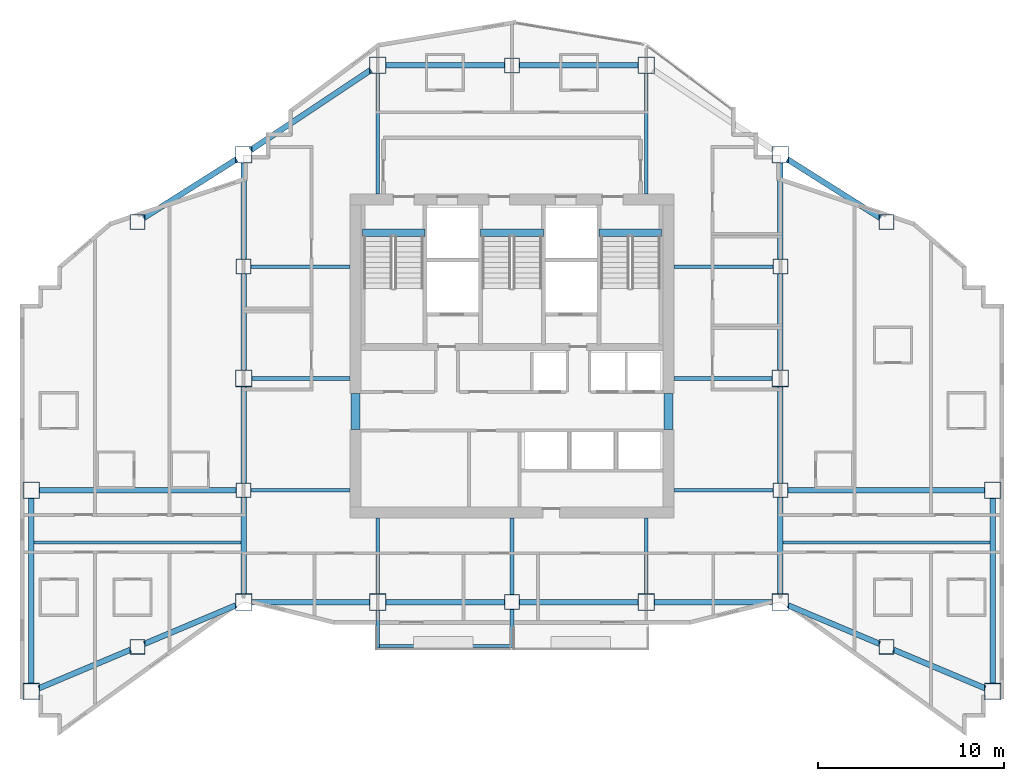
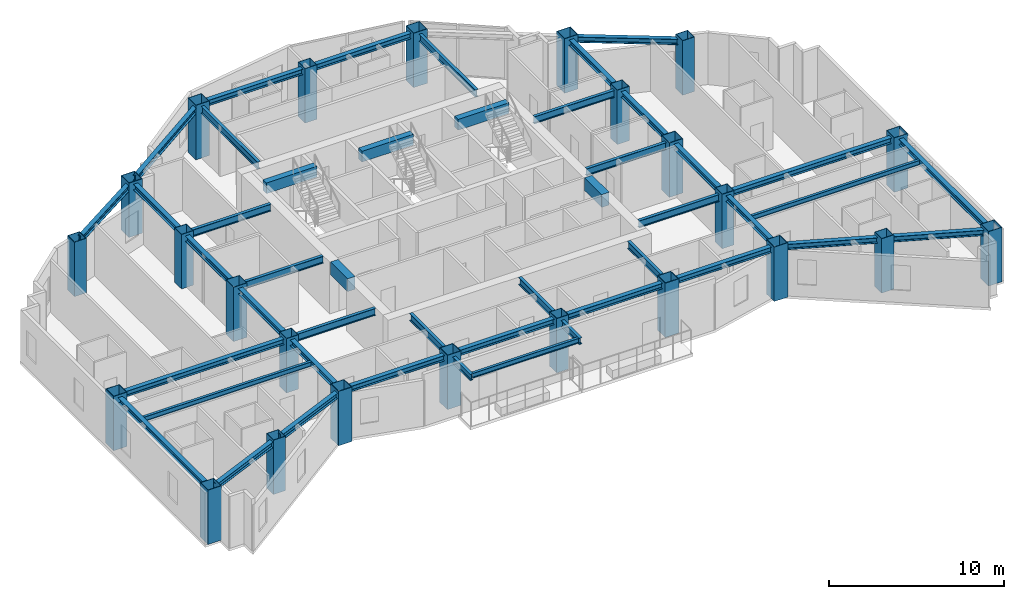
# One storey, part 1 of 11: 46 beams, 24 columns.
"""IFC4 building model written with IfcOpenShell, lengths in metres."""

from ifc_helpers import new_model, si_unit, direction, frame, origin, origin_2d, place, context, subcontext, project, spatial, rectangle, hollow_rectangle, i_section, extrude, material, material_profile, profile_set, type_object, element, save


model = new_model("IFC4")

# Units and contexts
model_context = context("Model", 3, precision=1e-05, world=origin(), true_north=direction((0.0, 1.0)))
body_context = subcontext(model_context, "Body", "Model", "MODEL_VIEW")
ifc_project = project(units=[si_unit("LENGTHUNIT", "METRE"), si_unit("AREAUNIT", "SQUARE_METRE"), si_unit("VOLUMEUNIT", "CUBIC_METRE"), si_unit("PLANEANGLEUNIT", "RADIAN"), si_unit("MASSUNIT", "GRAM", prefix="KILO")], contexts=[model_context])

# Site, building, storey
site_placement = place(None, origin())
site = spatial("IfcSite", under=ifc_project, at=site_placement, CompositionType="ELEMENT")
building_placement = place(site_placement, origin())
building = spatial("IfcBuilding", under=site, at=building_placement, Name="Haolan Belvedere Tower", CompositionType="ELEMENT")
storey_placement = place(building_placement, frame((0.0, 0.0, 191.800048828125)))
storey = spatial("IfcBuildingStorey", under=building, at=storey_placement, Name="L48", CompositionType="ELEMENT", Elevation=191.800048828125)

# Columns
ifc_material_1 = material(Name="Steel Q390GJC", Category="steel")
ifc_material_profile_1 = material_profile(ifc_material_1, hollow_rectangle(XDim=0.800048828125, YDim=0.800048828125, WallThickness=0.030029296875, at=origin_2d()), Name="Steel Q390GJC")
ifc_profile_set_1 = profile_set([ifc_material_profile_1], Name="Steel Q390GJC")
column_type_1 = type_object("IfcColumnType", Name="COL-BOX800x800x30", PredefinedType="COLUMN", material=ifc_profile_set_1)
for number, where, z_axis, x_axis, name in (
    (1, (24.0, 27.60009765625, 0.0), (0.0, 0.0, 1.0), (1.0, 0.0, 0.0), "L48 column TC-T3-W1 (BOX800x800x30)"),
    (2, (24.0, 39.60009765625, 0.0), (0.0, 0.0, 1.0), (1.0, 0.0, 0.0), "L48 column TC-T3-W2 (BOX800x800x30)"),
    (3, (52.800048828125, 27.60009765625, 0.0), (0.0, 0.0, 1.0), (1.0, 0.0, 0.0), "L48 column TC-T3-E1 (BOX800x800x30)"),
    (4, (52.800048828125, 39.60009765625, 0.0), (0.0, 0.0, 1.0), (1.0, 0.0, 0.0), "L48 column TC-T3-E2 (BOX800x800x30)"),
    (5, (38.39990234375, 21.60009765625, 0.0), (0.0, 0.0, 1.0), (1.0, 0.0, 0.0), "L48 column TC-T3-SM (BOX800x800x30)"),
    (6, (38.39990234375, 50.39990234375, 0.0), (0.0, 0.0, 1.0), (1.0, 0.0, 0.0), "L48 column TC-T3-NM (BOX800x800x30)"),
    (7, (18.300048828125, 19.199951171875, 0.0), (0.0, 0.0, 1.0), (1.0, 0.0, 0.0), "L48 column TC-T2-S1 (BOX800x800x30)"),
    (8, (18.300048828125, 42.0, 0.0), (0.0, 0.0, 1.0), (1.0, 0.0, 0.0), "L48 column TC-T2-N1 (BOX800x800x30)"),
    (9, (58.5, 19.199951171875, 0.0), (0.0, 0.0, 1.0), (1.0, 0.0, 0.0), "L48 column TC-T4-S1 (BOX800x800x30)"),
    (10, (58.5, 42.0, 0.0), (0.0, 0.0, 1.0), (1.0, 0.0, 0.0), "L48 column TC-T4-N1 (BOX800x800x30)"),
):
    element("IfcColumn", number, at=place(storey_placement, frame(where, z_axis=z_axis, x_axis=x_axis)), inside=storey, type_object=column_type_1, Name=name, PredefinedType="COLUMN", context=body_context, shape_type="SweptSolid", body=[
        extrude(hollow_rectangle(XDim=0.800048828125, YDim=0.800048828125, WallThickness=0.030029296875, at=origin_2d()), origin(), (0.0, 0.0, 1.0), 3.800048828125),
    ])
ifc_material_profile_2 = material_profile(ifc_material_1, hollow_rectangle(XDim=0.89990234375, YDim=0.89990234375, WallThickness=0.033935546875, at=origin_2d()), Name="Steel Q390GJC")
ifc_profile_set_2 = profile_set([ifc_material_profile_2], Name="Steel Q390GJC")
column_type_2 = type_object("IfcColumnType", Name="COL-BOX900x900x34", PredefinedType="COLUMN", material=ifc_profile_set_2)
for number, where, z_axis, x_axis, name in (
    (11, (24.0, 21.60009765625, 0.0), (0.0, 0.0, 1.0), (1.0, 0.0, 0.0), "L48 column MC-T3-SW (BOX900x900x34)"),
    (12, (24.0, 33.60009765625, 0.0), (0.0, 0.0, 1.0), (1.0, 0.0, 0.0), "L48 column MC-T3-MW (BOX900x900x34)"),
    (13, (24.0, 45.60009765625, 0.0), (0.0, 0.0, 1.0), (1.0, 0.0, 0.0), "L48 column MC-T3-NW (BOX900x900x34)"),
    (14, (52.800048828125, 21.60009765625, 0.0), (0.0, 0.0, 1.0), (1.0, 0.0, 0.0), "L48 column MC-T3-SE (BOX900x900x34)"),
    (15, (52.800048828125, 33.60009765625, 0.0), (0.0, 0.0, 1.0), (1.0, 0.0, 0.0), "L48 column MC-T3-ME (BOX900x900x34)"),
    (16, (52.800048828125, 45.60009765625, 0.0), (0.0, 0.0, 1.0), (1.0, 0.0, 0.0), "L48 column MC-T3-NE (BOX900x900x34)"),
    (17, (31.199951171875, 21.60009765625, 0.0), (0.0, 0.0, 1.0), (1.0, 0.0, 0.0), "L48 column MC-T3-S1 (BOX900x900x34)"),
    (18, (45.60009765625, 21.60009765625, 0.0), (0.0, 0.0, 1.0), (1.0, 0.0, 0.0), "L48 column MC-T3-S2 (BOX900x900x34)"),
    (19, (31.199951171875, 50.39990234375, 0.0), (0.0, 0.0, 1.0), (1.0, 0.0, 0.0), "L48 column MC-T3-N1 (BOX900x900x34)"),
    (20, (45.60009765625, 50.39990234375, 0.0), (0.0, 0.0, 1.0), (1.0, 0.0, 0.0), "L48 column MC-T3-N2 (BOX900x900x34)"),
    (21, (12.60009765625, 16.800048828125, 0.0), (0.0, 0.0, 1.0), (1.0, 0.0, 0.0), "L48 column MC-T2-SW (BOX900x900x34)"),
    (22, (12.60009765625, 27.60009765625, 0.0), (0.0, 0.0, 1.0), (1.0, 0.0, 0.0), "L48 column MC-T2-MW (BOX900x900x34)"),
    (23, (64.199951171875, 16.800048828125, 0.0), (0.0, 0.0, 1.0), (1.0, 0.0, 0.0), "L48 column MC-T4-SE (BOX900x900x34)"),
    (24, (64.199951171875, 27.60009765625, 0.0), (0.0, 0.0, 1.0), (1.0, 0.0, 0.0), "L48 column MC-T4-ME (BOX900x900x34)"),
):
    element("IfcColumn", number, at=place(storey_placement, frame(where, z_axis=z_axis, x_axis=x_axis)), inside=storey, type_object=column_type_2, Name=name, PredefinedType="COLUMN", context=body_context, shape_type="SweptSolid", body=[
        extrude(hollow_rectangle(XDim=0.89990234375, YDim=0.89990234375, WallThickness=0.033935546875, at=origin_2d()), origin(), (0.0, 0.0, 1.0), 3.800048828125),
    ])

# Beams
ifc_material_2 = material(Name="Steel Q355B", Category="steel")
ifc_material_profile_3 = material_profile(ifc_material_2, i_section(OverallWidth=0.300048828125, OverallDepth=0.389892578125, WebThickness=0.010009765625, FlangeThickness=0.01611328125, FilletRadius=0.02197265625, at=origin_2d()), Name="Steel Q355B")
ifc_profile_set_3 = profile_set([ifc_material_profile_3], Name="Steel Q355B")
beam_type_1 = type_object("IfcBeamType", Name="BM-HM390x300x10x16", PredefinedType="SPANDREL", material=ifc_profile_set_3)
for number, where, z_axis, x_axis, name in (
    (25, (24.0, 22.050048828125, 3.425048828125), (0.0, 1.0, 0.0), (-1.0, 0.0, 0.0), "L48 spandrel girder MC-T3-SW-TC-T3-W1"),
    (26, (24.0, 28.0, 3.425048828125), (0.0, 1.0, 0.0), (-1.0, 0.0, 0.0), "L48 spandrel girder TC-T3-W1-MC-T3-MW"),
    (27, (24.0, 34.050048828125, 3.425048828125), (0.0, 1.0, 0.0), (-1.0, 0.0, 0.0), "L48 spandrel girder MC-T3-MW-TC-T3-W2"),
    (28, (24.0, 40.0, 3.425048828125), (0.0, 1.0, 0.0), (-1.0, 0.0, 0.0), "L48 spandrel girder TC-T3-W2-MC-T3-NW"),
    (29, (52.800048828125, 22.050048828125, 3.425048828125), (0.0, 1.0, 0.0), (-1.0, 0.0, 0.0), "L48 spandrel girder MC-T3-SE-TC-T3-E1"),
    (30, (52.800048828125, 28.0, 3.425048828125), (0.0, 1.0, 0.0), (-1.0, 0.0, 0.0), "L48 spandrel girder TC-T3-E1-MC-T3-ME"),
    (31, (52.800048828125, 34.050048828125, 3.425048828125), (0.0, 1.0, 0.0), (-1.0, 0.0, 0.0), "L48 spandrel girder MC-T3-ME-TC-T3-E2"),
    (32, (52.800048828125, 40.0, 3.425048828125), (0.0, 1.0, 0.0), (-1.0, 0.0, 0.0), "L48 spandrel girder TC-T3-E2-MC-T3-NE"),
):
    element("IfcBeam", number, at=place(storey_placement, frame(where, z_axis=z_axis, x_axis=x_axis)), inside=storey, type_object=beam_type_1, Name=name, PredefinedType="SPANDREL", context=body_context, shape_type="SweptSolid", body=[
        extrude(i_section(OverallWidth=0.300048828125, OverallDepth=0.389892578125, WebThickness=0.010009765625, FlangeThickness=0.01611328125, FilletRadius=0.02197265625, at=origin_2d()), origin(), (0.0, 0.0, 1.0), 5.14990234375),
    ])
beam_1_placement = place(storey_placement, frame((24.449951171875, 21.60009765625, 3.425048828125), z_axis=(1.0, 0.0, 0.0), x_axis=(0.0, 1.0, 0.0)))
element("IfcBeam", 33, at=beam_1_placement, inside=storey, type_object=beam_type_1, Name="L48 spandrel girder MC-T3-SW-MC-T3-S1", PredefinedType="SPANDREL", context=body_context, shape_type="SweptSolid", body=[
    extrude(i_section(OverallWidth=0.300048828125, OverallDepth=0.389892578125, WebThickness=0.010009765625, FlangeThickness=0.01611328125, FilletRadius=0.02197265625, at=origin_2d()), origin(), (0.0, 0.0, 1.0), 6.300048828125),
])
beam_2_placement = place(storey_placement, frame((31.64990234375, 21.60009765625, 3.425048828125), z_axis=(1.0, 0.0, 0.0), x_axis=(0.0, 1.0, 0.0)))
element("IfcBeam", 34, at=beam_2_placement, inside=storey, type_object=beam_type_1, Name="L48 spandrel girder MC-T3-S1-TC-T3-SM", PredefinedType="SPANDREL", context=body_context, shape_type="SweptSolid", body=[
    extrude(i_section(OverallWidth=0.300048828125, OverallDepth=0.389892578125, WebThickness=0.010009765625, FlangeThickness=0.01611328125, FilletRadius=0.02197265625, at=origin_2d()), origin(), (0.0, 0.0, 1.0), 6.35009765625),
])
beam_3_placement = place(storey_placement, frame((38.800048828125, 21.60009765625, 3.425048828125), z_axis=(1.0, 0.0, 0.0), x_axis=(0.0, 1.0, 0.0)))
element("IfcBeam", 35, at=beam_3_placement, inside=storey, type_object=beam_type_1, Name="L48 spandrel girder TC-T3-SM-MC-T3-S2", PredefinedType="SPANDREL", context=body_context, shape_type="SweptSolid", body=[
    extrude(i_section(OverallWidth=0.300048828125, OverallDepth=0.389892578125, WebThickness=0.010009765625, FlangeThickness=0.01611328125, FilletRadius=0.02197265625, at=origin_2d()), origin(), (0.0, 0.0, 1.0), 6.349853515625),
])
beam_4_placement = place(storey_placement, frame((46.050048828125, 21.60009765625, 3.425048828125), z_axis=(1.0, 0.0, 0.0), x_axis=(0.0, 1.0, 0.0)))
element("IfcBeam", 36, at=beam_4_placement, inside=storey, type_object=beam_type_1, Name="L48 spandrel girder MC-T3-S2-MC-T3-SE", PredefinedType="SPANDREL", context=body_context, shape_type="SweptSolid", body=[
    extrude(i_section(OverallWidth=0.300048828125, OverallDepth=0.389892578125, WebThickness=0.010009765625, FlangeThickness=0.01611328125, FilletRadius=0.02197265625, at=origin_2d()), origin(), (0.0, 0.0, 1.0), 6.300048828125),
])
beam_5_placement = place(storey_placement, frame((24.37451171875, 45.849609375, 3.425048828125), z_axis=(0.832050294338, 0.554700196225, 0.0), x_axis=(-0.554700196225, 0.832050294338, 0.0)))
element("IfcBeam", 37, at=beam_5_placement, inside=storey, type_object=beam_type_1, Name="L48 spandrel girder MC-T3-NW-MC-T3-N1", PredefinedType="SPANDREL", context=body_context, shape_type="SweptSolid", body=[
    extrude(i_section(OverallWidth=0.300048828125, OverallDepth=0.389892578125, WebThickness=0.010009765625, FlangeThickness=0.01611328125, FilletRadius=0.02197265625, at=origin_2d()), origin(), (0.0, 0.0, 1.0), 7.75341796875),
])
beam_6_placement = place(storey_placement, frame((31.64990234375, 50.39990234375, 3.425048828125), z_axis=(1.0, 0.0, 0.0), x_axis=(0.0, 1.0, 0.0)))
element("IfcBeam", 38, at=beam_6_placement, inside=storey, type_object=beam_type_1, Name="L48 spandrel girder MC-T3-N1-TC-T3-NM", PredefinedType="SPANDREL", context=body_context, shape_type="SweptSolid", body=[
    extrude(i_section(OverallWidth=0.300048828125, OverallDepth=0.389892578125, WebThickness=0.010009765625, FlangeThickness=0.01611328125, FilletRadius=0.02197265625, at=origin_2d()), origin(), (0.0, 0.0, 1.0), 6.35009765625),
])
beam_7_placement = place(storey_placement, frame((38.800048828125, 50.39990234375, 3.425048828125), z_axis=(1.0, 0.0, 0.0), x_axis=(0.0, 1.0, 0.0)))
element("IfcBeam", 39, at=beam_7_placement, inside=storey, type_object=beam_type_1, Name="L48 spandrel girder TC-T3-NM-MC-T3-N2", PredefinedType="SPANDREL", context=body_context, shape_type="SweptSolid", body=[
    extrude(i_section(OverallWidth=0.300048828125, OverallDepth=0.389892578125, WebThickness=0.010009765625, FlangeThickness=0.01611328125, FilletRadius=0.02197265625, at=origin_2d()), origin(), (0.0, 0.0, 1.0), 6.349853515625),
])
beam_8_placement = place(storey_placement, frame((12.60009765625, 17.25, 3.425048828125), z_axis=(0.0, 1.0, 0.0), x_axis=(-1.0, 0.0, 0.0)))
element("IfcBeam", 40, at=beam_8_placement, inside=storey, type_object=beam_type_1, Name="L48 spandrel girder MC-T2-SW-MC-T2-MW", PredefinedType="SPANDREL", context=body_context, shape_type="SweptSolid", body=[
    extrude(i_section(OverallWidth=0.300048828125, OverallDepth=0.389892578125, WebThickness=0.010009765625, FlangeThickness=0.01611328125, FilletRadius=0.02197265625, at=origin_2d()), origin(), (0.0, 0.0, 1.0), 9.89990234375),
])
beam_9_placement = place(storey_placement, frame((13.0146484375, 16.974609375, 3.425048828125), z_axis=(0.921644850741, 0.388034494733, 0.0), x_axis=(-0.388034494733, 0.921644850741, 0.0)))
element("IfcBeam", 41, at=beam_9_placement, inside=storey, type_object=beam_type_1, Name="L48 spandrel girder MC-T2-SW-TC-T2-S1", PredefinedType="SPANDREL", context=body_context, shape_type="SweptSolid", body=[
    extrude(i_section(OverallWidth=0.300048828125, OverallDepth=0.389892578125, WebThickness=0.010009765625, FlangeThickness=0.01611328125, FilletRadius=0.02197265625, at=origin_2d()), origin(), (0.0, 0.0, 1.0), 5.334716796875),
])
beam_10_placement = place(storey_placement, frame((18.668701171875, 19.355224609375, 3.425048828125), z_axis=(0.921637959557, 0.388050862006, 0.0), x_axis=(-0.388050862006, 0.921637959557, 0.0)))
element("IfcBeam", 42, at=beam_10_placement, inside=storey, type_object=beam_type_1, Name="L48 spandrel girder TC-T2-S1-MC-T3-SW", PredefinedType="SPANDREL", context=body_context, shape_type="SweptSolid", body=[
    extrude(i_section(OverallWidth=0.300048828125, OverallDepth=0.389892578125, WebThickness=0.010009765625, FlangeThickness=0.01611328125, FilletRadius=0.02197265625, at=origin_2d()), origin(), (0.0, 0.0, 1.0), 5.33447265625),
])
beam_11_placement = place(storey_placement, frame((18.63818359375, 42.213623046875, 3.425048828125), z_axis=(0.845502688092, 0.533971164417, 0.0), x_axis=(-0.533971164417, 0.845502688092, 0.0)))
element("IfcBeam", 43, at=beam_11_placement, inside=storey, type_object=beam_type_1, Name="L48 spandrel girder TC-T2-N1-MC-T3-NW", PredefinedType="SPANDREL", context=body_context, shape_type="SweptSolid", body=[
    extrude(i_section(OverallWidth=0.300048828125, OverallDepth=0.389892578125, WebThickness=0.010009765625, FlangeThickness=0.01611328125, FilletRadius=0.02197265625, at=origin_2d()), origin(), (0.0, 0.0, 1.0), 5.8916015625),
])
beam_12_placement = place(storey_placement, frame((13.050048828125, 27.60009765625, 3.425048828125), z_axis=(1.0, 0.0, 0.0), x_axis=(0.0, 1.0, 0.0)))
element("IfcBeam", 44, at=beam_12_placement, inside=storey, type_object=beam_type_1, Name="L48 spandrel girder MC-T2-MW-TC-T3-W1", PredefinedType="SPANDREL", context=body_context, shape_type="SweptSolid", body=[
    extrude(i_section(OverallWidth=0.300048828125, OverallDepth=0.389892578125, WebThickness=0.010009765625, FlangeThickness=0.01611328125, FilletRadius=0.02197265625, at=origin_2d()), origin(), (0.0, 0.0, 1.0), 10.550048828125),
])
beam_13_placement = place(storey_placement, frame((64.199951171875, 17.25, 3.425048828125), z_axis=(0.0, 1.0, 0.0), x_axis=(-1.0, 0.0, 0.0)))
element("IfcBeam", 45, at=beam_13_placement, inside=storey, type_object=beam_type_1, Name="L48 spandrel girder MC-T4-SE-MC-T4-ME", PredefinedType="SPANDREL", context=body_context, shape_type="SweptSolid", body=[
    extrude(i_section(OverallWidth=0.300048828125, OverallDepth=0.389892578125, WebThickness=0.010009765625, FlangeThickness=0.01611328125, FilletRadius=0.02197265625, at=origin_2d()), origin(), (0.0, 0.0, 1.0), 9.89990234375),
])
for number, where, z_axis, x_axis, name in (
    (46, (53.21484375, 21.42529296875, 3.425048828125), (0.921637959557, -0.388050862006, 0.0), (0.388050862006, 0.921637959557, 0.0), "L48 spandrel girder MC-T3-SE-TC-T4-S1"),
    (47, (58.86865234375, 19.044677734375, 3.425048828125), (0.921637959557, -0.388050862006, 0.0), (0.388050862006, 0.921637959557, 0.0), "L48 spandrel girder TC-T4-S1-MC-T4-SE"),
):
    element("IfcBeam", number, at=place(storey_placement, frame(where, z_axis=z_axis, x_axis=x_axis)), inside=storey, type_object=beam_type_1, Name=name, PredefinedType="SPANDREL", context=body_context, shape_type="SweptSolid", body=[
        extrude(i_section(OverallWidth=0.300048828125, OverallDepth=0.389892578125, WebThickness=0.010009765625, FlangeThickness=0.01611328125, FilletRadius=0.02197265625, at=origin_2d()), origin(), (0.0, 0.0, 1.0), 5.33447265625),
    ])
beam_14_placement = place(storey_placement, frame((53.180419921875, 45.359619140625, 3.425048828125), z_axis=(0.845502688092, -0.533971164417, 0.0), x_axis=(0.533971164417, 0.845502688092, 0.0)))
element("IfcBeam", 48, at=beam_14_placement, inside=storey, type_object=beam_type_1, Name="L48 spandrel girder MC-T3-NE-TC-T4-N1", PredefinedType="SPANDREL", context=body_context, shape_type="SweptSolid", body=[
    extrude(i_section(OverallWidth=0.300048828125, OverallDepth=0.389892578125, WebThickness=0.010009765625, FlangeThickness=0.01611328125, FilletRadius=0.02197265625, at=origin_2d()), origin(), (0.0, 0.0, 1.0), 5.8916015625),
])
beam_15_placement = place(storey_placement, frame((53.199951171875, 27.60009765625, 3.425048828125), z_axis=(1.0, 0.0, 0.0), x_axis=(0.0, 1.0, 0.0)))
element("IfcBeam", 49, at=beam_15_placement, inside=storey, type_object=beam_type_1, Name="L48 spandrel girder TC-T3-E1-MC-T4-ME", PredefinedType="SPANDREL", context=body_context, shape_type="SweptSolid", body=[
    extrude(i_section(OverallWidth=0.300048828125, OverallDepth=0.389892578125, WebThickness=0.010009765625, FlangeThickness=0.01611328125, FilletRadius=0.02197265625, at=origin_2d()), origin(), (0.0, 0.0, 1.0), 10.550048828125),
])
ifc_material_profile_4 = material_profile(ifc_material_2, i_section(OverallWidth=0.175048828125, OverallDepth=0.35009765625, WebThickness=0.007080078125, FlangeThickness=0.010986328125, FilletRadius=0.012939453125, at=origin_2d()), Name="Steel Q355B")
ifc_profile_set_4 = profile_set([ifc_material_profile_4], Name="Steel Q355B")
beam_type_2 = type_object("IfcBeamType", Name="BM-HN350x175x7x11", PredefinedType="JOIST", material=ifc_profile_set_4)
for number, where, z_axis, x_axis, name in (
    (50, (12.75, 24.800048828125, 3.445068359375), (1.0, 0.0, 0.0), (0.0, 1.0, 0.0), "L48 west wing floor joist 1"),
    (51, (52.949951171875, 24.800048828125, 3.445068359375), (1.0, 0.0, 0.0), (0.0, 1.0, 0.0), "L48 east wing floor joist 1"),
):
    element("IfcBeam", number, at=place(storey_placement, frame(where, z_axis=z_axis, x_axis=x_axis)), inside=storey, type_object=beam_type_2, Name=name, PredefinedType="JOIST", context=body_context, shape_type="SweptSolid", body=[
        extrude(i_section(OverallWidth=0.175048828125, OverallDepth=0.35009765625, WebThickness=0.007080078125, FlangeThickness=0.010986328125, FilletRadius=0.012939453125, at=origin_2d()), origin(), (0.0, 0.0, 1.0), 11.10009765625),
    ])
beam_16_placement = place(storey_placement, frame((31.300048828125, 19.239990234375, 3.39501953125), z_axis=(1.0, 0.0, 0.0), x_axis=(0.0, 1.0, 0.0)))
element("IfcBeam", 52, at=beam_16_placement, inside=storey, type_object=beam_type_2, Name="L49 tree-balcony front trimmer beam 1", PredefinedType="BEAM", context=body_context, shape_type="SweptSolid", body=[
    extrude(i_section(OverallWidth=0.175048828125, OverallDepth=0.35009765625, WebThickness=0.007080078125, FlangeThickness=0.010986328125, FilletRadius=0.012939453125, at=origin_2d()), origin(), (0.0, 0.0, 1.0), 7.0),
])
ifc_material_profile_5 = material_profile(ifc_material_2, i_section(OverallWidth=0.199951171875, OverallDepth=0.449951171875, WebThickness=0.009033203125, FlangeThickness=0.013916015625, FilletRadius=0.01611328125, at=origin_2d()), Name="Steel Q355B")
ifc_profile_set_5 = profile_set([ifc_material_profile_5], Name="Steel Q355B")
beam_type_3 = type_object("IfcBeamType", Name="BM-HN450x200x9x14", PredefinedType="BEAM", material=ifc_profile_set_5)
beam_17_placement = place(storey_placement, frame((31.199951171875, 21.14990234375, 3.344970703125), z_axis=(0.0, -1.0, 0.0), x_axis=(1.0, 0.0, 0.0)))
element("IfcBeam", 53, at=beam_17_placement, inside=storey, type_object=beam_type_3, Name="L49 tree-balcony column cantilever MC-T3-S1", PredefinedType="BEAM", context=body_context, shape_type="SweptSolid", body=[
    extrude(i_section(OverallWidth=0.199951171875, OverallDepth=0.449951171875, WebThickness=0.009033203125, FlangeThickness=0.013916015625, FilletRadius=0.01611328125, at=origin_2d()), origin(), (0.0, 0.0, 1.0), 2.010009765625),
])
beam_18_placement = place(storey_placement, frame((38.39990234375, 21.199951171875, 3.344970703125), z_axis=(0.0, -1.0, 0.0), x_axis=(1.0, 0.0, 0.0)))
element("IfcBeam", 54, at=beam_18_placement, inside=storey, type_object=beam_type_3, Name="L49 tree-balcony column cantilever TC-T3-SM", PredefinedType="BEAM", context=body_context, shape_type="SweptSolid", body=[
    extrude(i_section(OverallWidth=0.199951171875, OverallDepth=0.449951171875, WebThickness=0.009033203125, FlangeThickness=0.013916015625, FilletRadius=0.01611328125, at=origin_2d()), origin(), (0.0, 0.0, 1.0), 2.06005859375),
])
ifc_material_profile_6 = material_profile(ifc_material_2, i_section(OverallWidth=0.199951171875, OverallDepth=0.5, WebThickness=0.010009765625, FlangeThickness=0.01611328125, FilletRadius=0.02001953125, at=origin_2d()), Name="Steel Q355B")
ifc_profile_set_6 = profile_set([ifc_material_profile_6], Name="Steel Q355B")
beam_type_4 = type_object("IfcBeamType", Name="BM-HN500x200x10x16", PredefinedType="BEAM", material=ifc_profile_set_6)
beam_19_placement = place(storey_placement, frame((24.449951171875, 33.60009765625, 3.369873046875), z_axis=(1.0, 0.0, 0.0), x_axis=(0.0, 1.0, 0.0)))
element("IfcBeam", 55, at=beam_19_placement, inside=storey, type_object=beam_type_4, Name="L48 core tie beam from MC-T3-MW", PredefinedType="BEAM", context=body_context, shape_type="SweptSolid", body=[
    extrude(i_section(OverallWidth=0.199951171875, OverallDepth=0.5, WebThickness=0.010009765625, FlangeThickness=0.01611328125, FilletRadius=0.02001953125, at=origin_2d()), origin(), (0.0, 0.0, 1.0), 5.25),
])
for number, where, z_axis, x_axis, name in (
    (56, (24.39990234375, 27.60009765625, 3.369873046875), (1.0, 0.0, 0.0), (0.0, 1.0, 0.0), "L48 core tie beam from TC-T3-W1"),
    (57, (24.39990234375, 39.60009765625, 3.369873046875), (1.0, 0.0, 0.0), (0.0, 1.0, 0.0), "L48 core tie beam from TC-T3-W2"),
):
    element("IfcBeam", number, at=place(storey_placement, frame(where, z_axis=z_axis, x_axis=x_axis)), inside=storey, type_object=beam_type_4, Name=name, PredefinedType="BEAM", context=body_context, shape_type="SweptSolid", body=[
        extrude(i_section(OverallWidth=0.199951171875, OverallDepth=0.5, WebThickness=0.010009765625, FlangeThickness=0.01611328125, FilletRadius=0.02001953125, at=origin_2d()), origin(), (0.0, 0.0, 1.0), 5.300048828125),
    ])
beam_20_placement = place(storey_placement, frame((52.35009765625, 33.60009765625, 3.369873046875), z_axis=(-1.0, 0.0, 0.0), x_axis=(0.0, -1.0, 0.0)))
element("IfcBeam", 58, at=beam_20_placement, inside=storey, type_object=beam_type_4, Name="L48 core tie beam from MC-T3-ME", PredefinedType="BEAM", context=body_context, shape_type="SweptSolid", body=[
    extrude(i_section(OverallWidth=0.199951171875, OverallDepth=0.5, WebThickness=0.010009765625, FlangeThickness=0.01611328125, FilletRadius=0.02001953125, at=origin_2d()), origin(), (0.0, 0.0, 1.0), 5.25),
])
for number, where, z_axis, x_axis, name in (
    (59, (52.39990234375, 27.60009765625, 3.369873046875), (-1.0, 0.0, 0.0), (0.0, -1.0, 0.0), "L48 core tie beam from TC-T3-E1"),
    (60, (52.39990234375, 39.60009765625, 3.369873046875), (-1.0, 0.0, 0.0), (0.0, -1.0, 0.0), "L48 core tie beam from TC-T3-E2"),
):
    element("IfcBeam", number, at=place(storey_placement, frame(where, z_axis=z_axis, x_axis=x_axis)), inside=storey, type_object=beam_type_4, Name=name, PredefinedType="BEAM", context=body_context, shape_type="SweptSolid", body=[
        extrude(i_section(OverallWidth=0.199951171875, OverallDepth=0.5, WebThickness=0.010009765625, FlangeThickness=0.01611328125, FilletRadius=0.02001953125, at=origin_2d()), origin(), (0.0, 0.0, 1.0), 5.2998046875),
    ])
beam_21_placement = place(storey_placement, frame((31.199951171875, 22.050048828125, 3.369873046875), z_axis=(0.0, 1.0, 0.0), x_axis=(-1.0, 0.0, 0.0)))
element("IfcBeam", 61, at=beam_21_placement, inside=storey, type_object=beam_type_4, Name="L48 core tie beam from MC-T3-S1", PredefinedType="BEAM", context=body_context, shape_type="SweptSolid", body=[
    extrude(i_section(OverallWidth=0.199951171875, OverallDepth=0.5, WebThickness=0.010009765625, FlangeThickness=0.01611328125, FilletRadius=0.02001953125, at=origin_2d()), origin(), (0.0, 0.0, 1.0), 4.050048828125),
])
beam_22_placement = place(storey_placement, frame((38.39990234375, 22.0, 3.369873046875), z_axis=(0.0, 1.0, 0.0), x_axis=(-1.0, 0.0, 0.0)))
element("IfcBeam", 62, at=beam_22_placement, inside=storey, type_object=beam_type_4, Name="L48 core tie beam from TC-T3-SM", PredefinedType="BEAM", context=body_context, shape_type="SweptSolid", body=[
    extrude(i_section(OverallWidth=0.199951171875, OverallDepth=0.5, WebThickness=0.010009765625, FlangeThickness=0.01611328125, FilletRadius=0.02001953125, at=origin_2d()), origin(), (0.0, 0.0, 1.0), 4.10009765625),
])
beam_23_placement = place(storey_placement, frame((45.60009765625, 22.050048828125, 3.369873046875), z_axis=(0.0, 1.0, 0.0), x_axis=(-1.0, 0.0, 0.0)))
element("IfcBeam", 63, at=beam_23_placement, inside=storey, type_object=beam_type_4, Name="L48 core tie beam from MC-T3-S2", PredefinedType="BEAM", context=body_context, shape_type="SweptSolid", body=[
    extrude(i_section(OverallWidth=0.199951171875, OverallDepth=0.5, WebThickness=0.010009765625, FlangeThickness=0.01611328125, FilletRadius=0.02001953125, at=origin_2d()), origin(), (0.0, 0.0, 1.0), 4.050048828125),
])
for number, where, z_axis, x_axis, name in (
    (64, (31.199951171875, 49.949951171875, 3.369873046875), (0.0, -1.0, 0.0), (1.0, 0.0, 0.0), "L48 core tie beam from MC-T3-N1"),
    (65, (45.60009765625, 49.949951171875, 3.369873046875), (0.0, -1.0, 0.0), (1.0, 0.0, 0.0), "L48 core tie beam from MC-T3-N2"),
):
    element("IfcBeam", number, at=place(storey_placement, frame(where, z_axis=z_axis, x_axis=x_axis)), inside=storey, type_object=beam_type_4, Name=name, PredefinedType="BEAM", context=body_context, shape_type="SweptSolid", body=[
        extrude(i_section(OverallWidth=0.199951171875, OverallDepth=0.5, WebThickness=0.010009765625, FlangeThickness=0.01611328125, FilletRadius=0.02001953125, at=origin_2d()), origin(), (0.0, 0.0, 1.0), 6.449951171875),
    ])
ifc_material_3 = material(Name="Concrete C50/60", Category="concrete")
ifc_material_profile_7 = material_profile(ifc_material_3, rectangle(XDim=0.39990234375, YDim=0.75, at=origin_2d()), Name="Concrete C50/60")
ifc_profile_set_7 = profile_set([ifc_material_profile_7], Name="Concrete C50/60")
beam_type_5 = type_object("IfcBeamType", Name="BM-RC400x750", PredefinedType="T_BEAM", material=ifc_profile_set_7)
beam_24_placement = place(storey_placement, frame((30.3798828125, 41.429931640625, 3.425048828125), z_axis=(1.0, 0.0, 0.0), x_axis=(0.0, 1.0, 0.0)))
element("IfcBeam", 66, at=beam_24_placement, inside=storey, type_object=beam_type_5, Name="L49 stair ST1 RC header trimmer beam", PredefinedType="BEAM", context=body_context, shape_type="SweptSolid", body=[
    extrude(rectangle(XDim=0.39990234375, YDim=0.75, at=origin_2d()), origin(), (0.0, 0.0, 1.0), 3.360107421875),
])
beam_25_placement = place(storey_placement, frame((36.699951171875, 41.429931640625, 3.425048828125), z_axis=(1.0, 0.0, 0.0), x_axis=(0.0, 1.0, 0.0)))
element("IfcBeam", 67, at=beam_25_placement, inside=storey, type_object=beam_type_5, Name="L49 stair ST3 RC header trimmer beam", PredefinedType="BEAM", context=body_context, shape_type="SweptSolid", body=[
    extrude(rectangle(XDim=0.39990234375, YDim=0.75, at=origin_2d()), origin(), (0.0, 0.0, 1.0), 3.400146484375),
])
beam_26_placement = place(storey_placement, frame((43.06005859375, 41.429931640625, 3.425048828125), z_axis=(1.0, 0.0, 0.0), x_axis=(0.0, 1.0, 0.0)))
element("IfcBeam", 68, at=beam_26_placement, inside=storey, type_object=beam_type_5, Name="L49 stair ST2 RC header trimmer beam", PredefinedType="BEAM", context=body_context, shape_type="SweptSolid", body=[
    extrude(rectangle(XDim=0.39990234375, YDim=0.75, at=origin_2d()), origin(), (0.0, 0.0, 1.0), 3.35986328125),
])
ifc_material_4 = material(Name="Concrete C60/75", Category="concrete")
ifc_material_profile_8 = material_profile(ifc_material_4, rectangle(XDim=0.5, YDim=0.89990234375, at=origin_2d()), Name="Concrete C60/75")
ifc_profile_set_8 = profile_set([ifc_material_profile_8], Name="Concrete C60/75")
beam_type_6 = type_object("IfcBeamType", Name="BM-RC500x900", PredefinedType="LINTEL", material=ifc_profile_set_8)
for number, where, z_axis, x_axis, name in (
    (69, (30.0, 30.85009765625, 3.169921875), (0.0, 1.0, 0.0), (-1.0, 0.0, 0.0), "L48 west core coupling beam CB-01"),
    (70, (46.800048828125, 30.85009765625, 3.169921875), (0.0, 1.0, 0.0), (-1.0, 0.0, 0.0), "L48 east core coupling beam CB-01"),
):
    element("IfcBeam", number, at=place(storey_placement, frame(where, z_axis=z_axis, x_axis=x_axis)), inside=storey, type_object=beam_type_6, Name=name, PredefinedType="LINTEL", context=body_context, shape_type="SweptSolid", body=[
        extrude(rectangle(XDim=0.5, YDim=0.89990234375, at=origin_2d()), origin(), (0.0, 0.0, 1.0), 1.949951171875),
    ])

save(model, "model.ifc")
